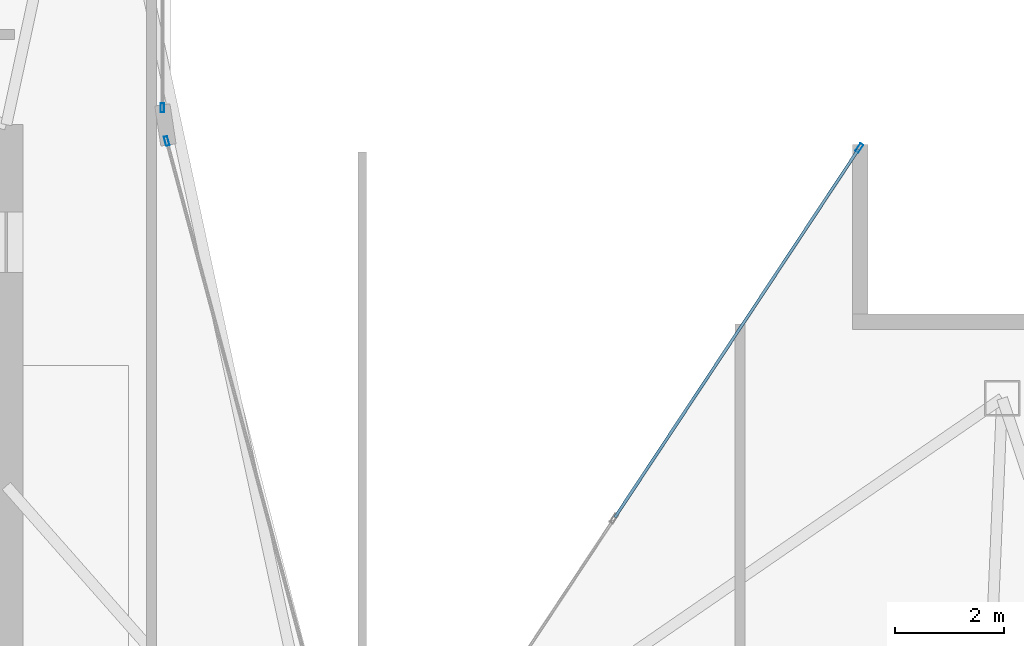
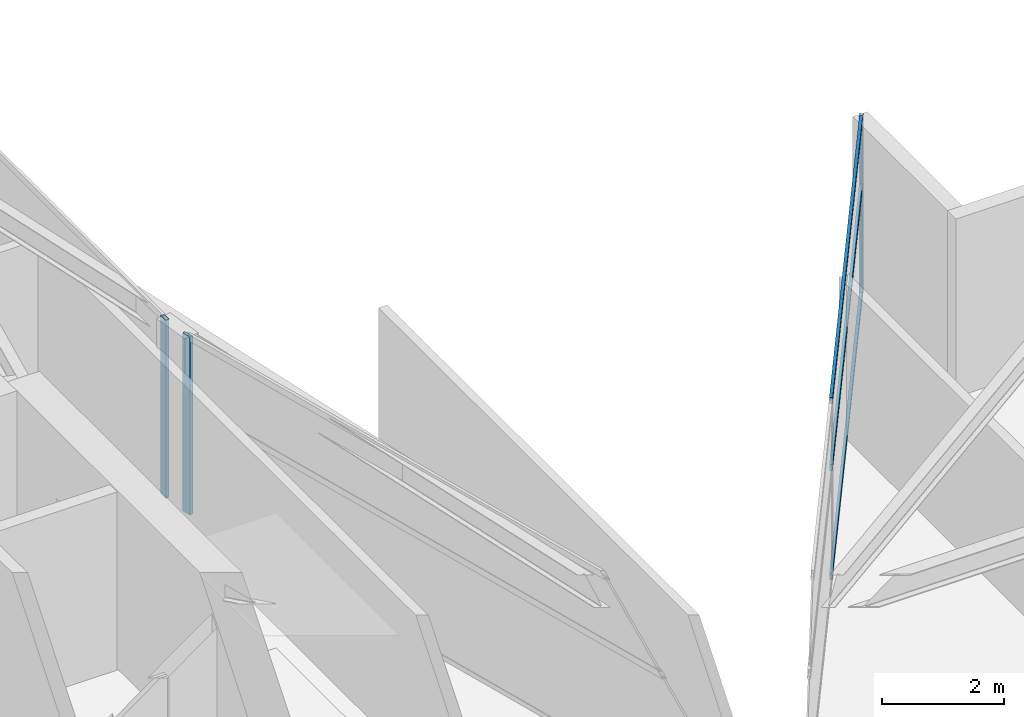
# One storey, part 19 of 28: 6 members, 3 elements without a shape of their own.
"""IFC4 building model written with IfcOpenShell, lengths in metres."""

from ifc_helpers import new_model, si_unit, direction, frame, origin, origin_2d, place, context, subcontext, project, spatial, hollow_rectangle, extrude, material, layer, layer_set, material_profile, profile_set, type_object, element, aggregate, save


model = new_model("IFC4")

# Units and contexts
model_context = context("Model", 3, precision=1e-05, world=origin(), true_north=direction((0.0, 1.0)))
body_context = subcontext(model_context, "Body", "Model", "MODEL_VIEW")
ifc_project = project(units=[si_unit("LENGTHUNIT", "METRE"), si_unit("AREAUNIT", "SQUARE_METRE"), si_unit("VOLUMEUNIT", "CUBIC_METRE"), si_unit("PLANEANGLEUNIT", "RADIAN"), si_unit("MASSUNIT", "GRAM", prefix="KILO")], contexts=[model_context])

# Site, building, storey
site_placement = place(None, origin())
site = spatial("IfcSite", under=ifc_project, at=site_placement, CompositionType="ELEMENT")
building_placement = place(site_placement, origin())
building = spatial("IfcBuilding", under=site, at=building_placement, Name="Calvorn Quay Hotel", CompositionType="ELEMENT")
storey_placement = place(building_placement, frame((0.0, 0.0, 274.89990234375)))
storey = spatial("IfcBuildingStorey", under=building, at=storey_placement, Name="L68", CompositionType="ELEMENT", Elevation=274.89990234375)

# Curtain wall, member
ifc_material_1 = material(Name="Champagne Bronze Anodised Aluminium and Low-E Glass", Category="aluminium")
ifc_layer = layer(ifc_material_1, 0.219970703125)
ifc_layer_set = layer_set([ifc_layer], Name="CW-SYS-Z4")
curtain_wall_type = type_object("IfcCurtainWallType", Name="CW-SYS-Z4", PredefinedType="NOTDEFINED", material=ifc_layer_set)
curtain_wall_1_placement = place(storey_placement, origin())
curtain_wall_1 = element("IfcCurtainWall", 1, at=curtain_wall_1_placement, inside=storey, type_object=curtain_wall_type, Name="Inner Court Curtain Wall L68-NE1", PredefinedType="NOTDEFINED")
ifc_material_2 = material(Name="Champagne Bronze Anodised Aluminium 6063-T6", Category="aluminium")
ifc_material_profile_1 = material_profile(ifc_material_2, hollow_rectangle(XDim=0.06494140625, YDim=0.169921875, WallThickness=0.00341796875, at=origin_2d()), Name="ALU-M170x65x3.5")
ifc_profile_set_1 = profile_set([ifc_material_profile_1], Name="Champagne Bronze Anodised Aluminium 6063-T6")
member_type_1 = type_object("IfcMemberType", Name="CW-SYS-Z4-MUL", PredefinedType="MULLION", material=ifc_profile_set_1)
member_1_placement = place(storey_placement, frame((30.58349609375, 37.97509765625, 0.0), z_axis=(0.0, 0.0, 1.0), x_axis=(0.833932205724, -0.551866900852, 0.0)))
member_1 = element("IfcMember", 2, at=member_1_placement, type_object=member_type_1, Name="CW-L68-NE1 mullion 1", PredefinedType="MULLION", context=body_context, shape_type="SweptSolid", body=[
    extrude(hollow_rectangle(XDim=0.06494140625, YDim=0.169921875, WallThickness=0.00341796875, at=origin_2d()), origin(), (0.0, 0.0, 1.0), 3.56005859375),
])

curtain_wall_2_placement = place(storey_placement, origin())
curtain_wall_2 = element("IfcCurtainWall", 3, at=curtain_wall_2_placement, inside=storey, type_object=curtain_wall_type, Name="Inner Court Curtain Wall L68-IC1", PredefinedType="NOTDEFINED")
member_2_placement = place(storey_placement, frame((17.9296875, 38.10107421875, 0.0), z_axis=(0.0, 0.0, 1.0), x_axis=(-0.96593652056, -0.25877913024, 0.0)))
member_2 = element("IfcMember", 4, at=member_2_placement, type_object=member_type_1, Name="CW-L68-IC1 mullion 2", PredefinedType="MULLION", context=body_context, shape_type="SweptSolid", body=[
    extrude(hollow_rectangle(XDim=0.06494140625, YDim=0.169921875, WallThickness=0.00341796875, at=origin_2d()), origin(), (0.0, 0.0, 1.0), 3.56005859375),
])
aggregate(curtain_wall_2, [member_2])

curtain_wall_3_placement = place(storey_placement, origin())
curtain_wall_3 = element("IfcCurtainWall", 5, at=curtain_wall_3_placement, inside=storey, type_object=curtain_wall_type, Name="Inner Court Curtain Wall L68-IC2", PredefinedType="NOTDEFINED")
member_3_placement = place(storey_placement, frame((17.85009765625, 38.7099609375, 0.0), z_axis=(0.0, 0.0, 1.0), x_axis=(-1.0, 0.0, 0.0)))
member_3 = element("IfcMember", 6, at=member_3_placement, type_object=member_type_1, Name="CW-L68-IC2 mullion 1", PredefinedType="MULLION", context=body_context, shape_type="SweptSolid", body=[
    extrude(hollow_rectangle(XDim=0.06494140625, YDim=0.169921875, WallThickness=0.00341796875, at=origin_2d()), origin(), (0.0, 0.0, 1.0), 3.56005859375),
])
aggregate(curtain_wall_3, [member_3])

# Member
ifc_material_3 = material(Name="Champagne Bronze Anodised Aluminium 6063-T6", Category="aluminium")
ifc_material_profile_2 = material_profile(ifc_material_3, hollow_rectangle(XDim=0.054931640625, YDim=0.1298828125, WallThickness=0.003173828125, at=origin_2d()), Name="ALU-T130x55x3.2")
ifc_profile_set_2 = profile_set([ifc_material_profile_2], Name="Champagne Bronze Anodised Aluminium 6063-T6")
member_type_2 = type_object("IfcMemberType", Name="CW-SYS-Z4-TRN", PredefinedType="USERDEFINED", material=ifc_profile_set_2)
member_4_placement = place(storey_placement, frame((30.56689453125, 37.949951171875, 0.030029296875), z_axis=(-0.551881453123, -0.833922575362, 0.0), x_axis=(0.833922575362, -0.551881453123, 0.0)))
member_4 = element("IfcMember", 7, at=member_4_placement, type_object=member_type_2, Name="CW-L68-NE1 transom 1.1", ObjectType="TRANSOM", PredefinedType="USERDEFINED", context=body_context, shape_type="SweptSolid", body=[
    extrude(hollow_rectangle(XDim=0.054931640625, YDim=0.1298828125, WallThickness=0.003173828125, at=origin_2d()), origin(), (0.0, 0.0, 1.0), 8.064208984375),
])

member_5_placement = place(storey_placement, frame((30.56689453125, 37.949951171875, 2.2001953125), z_axis=(-0.551881453123, -0.833922575362, 0.0), x_axis=(0.833922575362, -0.551881453123, 0.0)))
member_5 = element("IfcMember", 8, at=member_5_placement, type_object=member_type_2, Name="CW-L68-NE1 transom 1.2", ObjectType="TRANSOM", PredefinedType="USERDEFINED", context=body_context, shape_type="SweptSolid", body=[
    extrude(hollow_rectangle(XDim=0.054931640625, YDim=0.1298828125, WallThickness=0.003173828125, at=origin_2d()), origin(), (0.0, 0.0, 1.0), 8.064208984375),
])

member_6_placement = place(storey_placement, frame((30.56689453125, 37.949951171875, 3.530029296875), z_axis=(-0.551881453123, -0.833922575362, 0.0), x_axis=(0.833922575362, -0.551881453123, 0.0)))
member_6 = element("IfcMember", 9, at=member_6_placement, type_object=member_type_2, Name="CW-L68-NE1 transom 1.3", ObjectType="TRANSOM", PredefinedType="USERDEFINED", context=body_context, shape_type="SweptSolid", body=[
    extrude(hollow_rectangle(XDim=0.054931640625, YDim=0.1298828125, WallThickness=0.003173828125, at=origin_2d()), origin(), (0.0, 0.0, 1.0), 8.064208984375),
])

aggregate(curtain_wall_1, [member_1, member_4, member_5, member_6])

save(model, "model.ifc")
